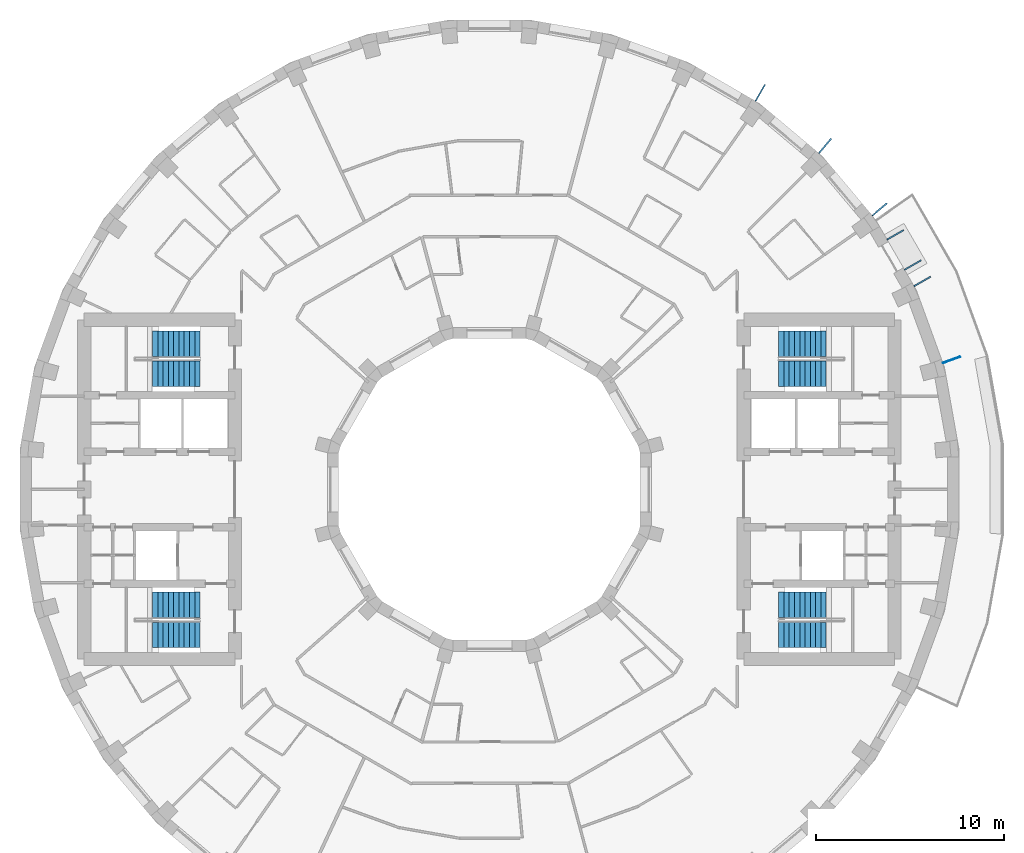
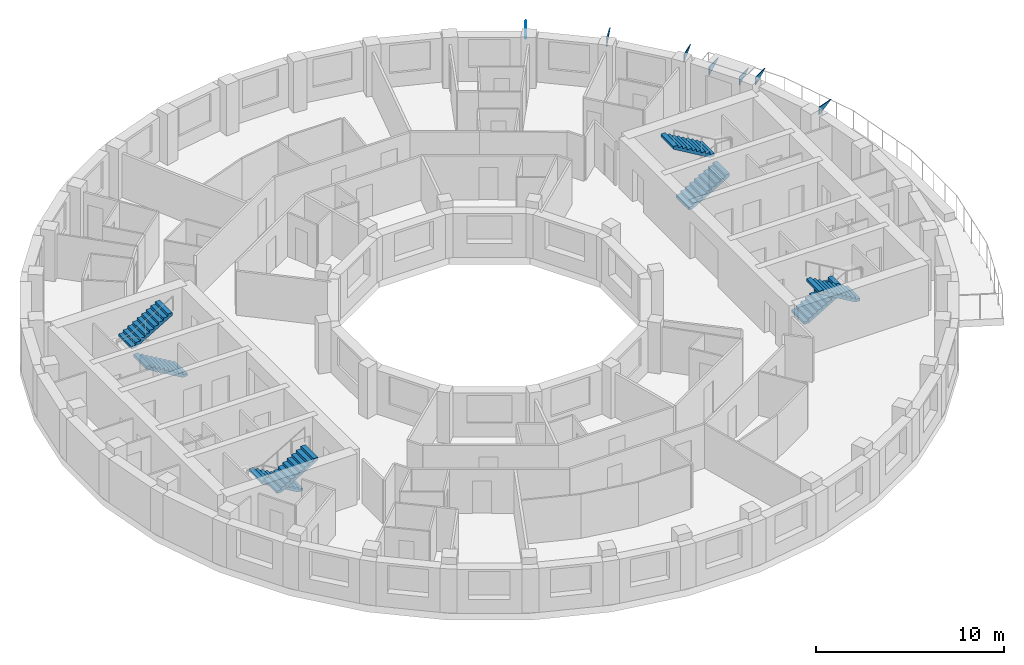
# One storey, part 10 of 11: 8 stair flights, 7 discrete accessories, 4 elements without a shape of their own.
"""IFC4 building model written with IfcOpenShell, lengths in metres."""

from ifc_helpers import new_model, si_unit, direction, frame, origin, place, context, subcontext, project, spatial, polyline, outline, extrude, material, layer, layer_set, type_object, element, aggregate, save


model = new_model("IFC4")

# Units and contexts
model_context = context("Model", 3, precision=1e-05, world=origin(), true_north=direction((0.0, 1.0)))
body_context = subcontext(model_context, "Body", "Model", "MODEL_VIEW")
ifc_project = project(units=[si_unit("LENGTHUNIT", "METRE"), si_unit("AREAUNIT", "SQUARE_METRE"), si_unit("VOLUMEUNIT", "CUBIC_METRE"), si_unit("PLANEANGLEUNIT", "RADIAN"), si_unit("MASSUNIT", "GRAM", prefix="KILO")], contexts=[model_context])

# Site, building, storey
site_placement = place(None, origin())
site = spatial("IfcSite", under=ifc_project, at=site_placement, CompositionType="ELEMENT")
building_placement = place(site_placement, origin())
building = spatial("IfcBuilding", under=site, at=building_placement, Name="Saqina Gate Tower", CompositionType="ELEMENT")
storey_placement = place(building_placement, frame((0.0, 0.0, 187.199951171875)))
storey = spatial("IfcBuildingStorey", under=building, at=storey_placement, Name="L53", CompositionType="ELEMENT", Elevation=187.199951171875)

# Stair, stair flights
ifc_material_1 = material(Name="Concrete C40/50", Category="concrete")
stair_type = type_object("IfcStairType", Name="EXIT STAIR", PredefinedType="HALF_TURN_STAIR", material=ifc_material_1)
stair_1_placement = place(storey_placement, origin())
stair_1 = element("IfcStair", 1, at=stair_1_placement, inside=storey, type_object=stair_type, Name="EXIT STAIR 1", PredefinedType="HALF_TURN_STAIR")
ifc_material_2 = material(Name="Concrete C40/50", Category="concrete")
stair_flight_type = type_object("IfcStairFlightType", Name="EXIT STAIR FLIGHT", PredefinedType="STRAIGHT", material=ifc_material_2)
stair_flight_1_placement = place(storey_placement, frame((15.35009765625, 6.125, 0.0), z_axis=(0.0, 0.0, 1.0), x_axis=(1.0, 0.0, 0.0)))
stair_flight_1 = element("IfcStairFlight", 2, at=stair_flight_1_placement, type_object=stair_flight_type, Name="EXIT STAIR 1 FLIGHT 1", NumberOfRisers=10, NumberOfTreads=9, PredefinedType="STRAIGHT", RiserHeight=0.165, TreadLength=0.28, context=body_context, shape_type="SweptSolid", body=[
    extrude(outline(polyline([(0.0, 0.0), (0.0, 0.1650390625), (0.280029296875, 0.1650390625), (0.280029296875, 0.330078125), (0.56005859375, 0.330078125), (0.56005859375, 0.4951171875), (0.840087890625, 0.4951171875), (0.840087890625, 0.659912109375), (1.1201171875, 0.659912109375), (1.1201171875, 0.824951171875), (1.39990234375, 0.824951171875), (1.39990234375, 0.989990234375), (1.679931640625, 0.989990234375), (1.679931640625, 1.155029296875), (1.9599609375, 1.155029296875), (1.9599609375, 1.320068359375), (2.239990234375, 1.320068359375), (2.239990234375, 1.485107421875), (2.52001953125, 1.485107421875), (2.52001953125, 1.64990234375), (2.52001953125, 1.31103515625), (0.295166015625, 0.0), (0.0, 0.0)])), frame((0.0, 0.675048828125, 0.0), z_axis=(0.0, -1.0, 0.0), x_axis=(1.0, 0.0, 0.0)), (0.0, 0.0, 1.0), 1.35009765625),
])
stair_flight_2_placement = place(storey_placement, frame((17.8701171875, 7.72509765625, 1.650146484375), z_axis=(0.0, 0.0, 1.0), x_axis=(-1.0, 0.0, 0.0)))
stair_flight_2 = element("IfcStairFlight", 3, at=stair_flight_2_placement, type_object=stair_flight_type, Name="EXIT STAIR 1 FLIGHT 2", NumberOfRisers=10, NumberOfTreads=9, PredefinedType="STRAIGHT", RiserHeight=0.165, TreadLength=0.28, context=body_context, shape_type="SweptSolid", body=[
    extrude(outline(polyline([(0.0, 0.0), (0.0, 0.1650390625), (0.280029296875, 0.1650390625), (0.280029296875, 0.330078125), (0.56005859375, 0.330078125), (0.56005859375, 0.4951171875), (0.840087890625, 0.4951171875), (0.840087890625, 0.659912109375), (1.1201171875, 0.659912109375), (1.1201171875, 0.824951171875), (1.39990234375, 0.824951171875), (1.39990234375, 0.989990234375), (1.679931640625, 0.989990234375), (1.679931640625, 1.155029296875), (1.9599609375, 1.155029296875), (1.9599609375, 1.320068359375), (2.239990234375, 1.320068359375), (2.239990234375, 1.485107421875), (2.52001953125, 1.485107421875), (2.52001953125, 1.64990234375), (2.52001953125, 1.31103515625), (0.295166015625, 0.0), (0.0, 0.0)])), frame((0.0, 0.675048828125, 0.0), z_axis=(0.0, -1.0, 0.0), x_axis=(1.0, 0.0, 0.0)), (0.0, 0.0, 1.0), 1.35009765625),
])
aggregate(stair_1, [stair_flight_1, stair_flight_2])

stair_2_placement = place(storey_placement, origin())
stair_2 = element("IfcStair", 4, at=stair_2_placement, inside=storey, type_object=stair_type, Name="EXIT STAIR 2", PredefinedType="HALF_TURN_STAIR")
stair_flight_3_placement = place(storey_placement, frame((15.35009765625, -6.125, 0.0), z_axis=(0.0, 0.0, 1.0), x_axis=(1.0, 0.0, 0.0)))
stair_flight_3 = element("IfcStairFlight", 5, at=stair_flight_3_placement, type_object=stair_flight_type, Name="EXIT STAIR 2 FLIGHT 1", NumberOfRisers=10, NumberOfTreads=9, PredefinedType="STRAIGHT", RiserHeight=0.165, TreadLength=0.28, context=body_context, shape_type="SweptSolid", body=[
    extrude(outline(polyline([(0.0, 0.0), (0.0, 0.1650390625), (0.280029296875, 0.1650390625), (0.280029296875, 0.330078125), (0.56005859375, 0.330078125), (0.56005859375, 0.4951171875), (0.840087890625, 0.4951171875), (0.840087890625, 0.659912109375), (1.1201171875, 0.659912109375), (1.1201171875, 0.824951171875), (1.39990234375, 0.824951171875), (1.39990234375, 0.989990234375), (1.679931640625, 0.989990234375), (1.679931640625, 1.155029296875), (1.9599609375, 1.155029296875), (1.9599609375, 1.320068359375), (2.239990234375, 1.320068359375), (2.239990234375, 1.485107421875), (2.52001953125, 1.485107421875), (2.52001953125, 1.64990234375), (2.52001953125, 1.31103515625), (0.295166015625, 0.0), (0.0, 0.0)])), frame((0.0, 0.675048828125, 0.0), z_axis=(0.0, -1.0, 0.0), x_axis=(1.0, 0.0, 0.0)), (0.0, 0.0, 1.0), 1.35009765625),
])
stair_flight_4_placement = place(storey_placement, frame((17.8701171875, -7.72509765625, 1.650146484375), z_axis=(0.0, 0.0, 1.0), x_axis=(-1.0, 0.0, 0.0)))
stair_flight_4 = element("IfcStairFlight", 6, at=stair_flight_4_placement, type_object=stair_flight_type, Name="EXIT STAIR 2 FLIGHT 2", NumberOfRisers=10, NumberOfTreads=9, PredefinedType="STRAIGHT", RiserHeight=0.165, TreadLength=0.28, context=body_context, shape_type="SweptSolid", body=[
    extrude(outline(polyline([(0.0, 0.0), (0.0, 0.1650390625), (0.280029296875, 0.1650390625), (0.280029296875, 0.330078125), (0.56005859375, 0.330078125), (0.56005859375, 0.4951171875), (0.840087890625, 0.4951171875), (0.840087890625, 0.659912109375), (1.1201171875, 0.659912109375), (1.1201171875, 0.824951171875), (1.39990234375, 0.824951171875), (1.39990234375, 0.989990234375), (1.679931640625, 0.989990234375), (1.679931640625, 1.155029296875), (1.9599609375, 1.155029296875), (1.9599609375, 1.320068359375), (2.239990234375, 1.320068359375), (2.239990234375, 1.485107421875), (2.52001953125, 1.485107421875), (2.52001953125, 1.64990234375), (2.52001953125, 1.31103515625), (0.295166015625, 0.0), (0.0, 0.0)])), frame((0.0, 0.675048828125, 0.0), z_axis=(0.0, -1.0, 0.0), x_axis=(1.0, 0.0, 0.0)), (0.0, 0.0, 1.0), 1.35009765625),
])
aggregate(stair_2, [stair_flight_3, stair_flight_4])

stair_3_placement = place(storey_placement, origin())
stair_3 = element("IfcStair", 7, at=stair_3_placement, inside=storey, type_object=stair_type, Name="EXIT STAIR 3", PredefinedType="HALF_TURN_STAIR")
stair_flight_5_placement = place(storey_placement, frame((-15.35009765625, 6.125, 0.0), z_axis=(0.0, 0.0, 1.0), x_axis=(-1.0, 0.0, 0.0)))
stair_flight_5 = element("IfcStairFlight", 8, at=stair_flight_5_placement, type_object=stair_flight_type, Name="EXIT STAIR 3 FLIGHT 1", NumberOfRisers=10, NumberOfTreads=9, PredefinedType="STRAIGHT", RiserHeight=0.165, TreadLength=0.28, context=body_context, shape_type="SweptSolid", body=[
    extrude(outline(polyline([(0.0, 0.0), (0.0, 0.1650390625), (0.280029296875, 0.1650390625), (0.280029296875, 0.330078125), (0.56005859375, 0.330078125), (0.56005859375, 0.4951171875), (0.840087890625, 0.4951171875), (0.840087890625, 0.659912109375), (1.1201171875, 0.659912109375), (1.1201171875, 0.824951171875), (1.39990234375, 0.824951171875), (1.39990234375, 0.989990234375), (1.679931640625, 0.989990234375), (1.679931640625, 1.155029296875), (1.9599609375, 1.155029296875), (1.9599609375, 1.320068359375), (2.239990234375, 1.320068359375), (2.239990234375, 1.485107421875), (2.52001953125, 1.485107421875), (2.52001953125, 1.64990234375), (2.52001953125, 1.31103515625), (0.295166015625, 0.0), (0.0, 0.0)])), frame((0.0, 0.675048828125, 0.0), z_axis=(0.0, -1.0, 0.0), x_axis=(1.0, 0.0, 0.0)), (0.0, 0.0, 1.0), 1.35009765625),
])
stair_flight_6_placement = place(storey_placement, frame((-17.8701171875, 7.72509765625, 1.650146484375), z_axis=(0.0, 0.0, 1.0), x_axis=(1.0, 0.0, 0.0)))
stair_flight_6 = element("IfcStairFlight", 9, at=stair_flight_6_placement, type_object=stair_flight_type, Name="EXIT STAIR 3 FLIGHT 2", NumberOfRisers=10, NumberOfTreads=9, PredefinedType="STRAIGHT", RiserHeight=0.165, TreadLength=0.28, context=body_context, shape_type="SweptSolid", body=[
    extrude(outline(polyline([(0.0, 0.0), (0.0, 0.1650390625), (0.280029296875, 0.1650390625), (0.280029296875, 0.330078125), (0.56005859375, 0.330078125), (0.56005859375, 0.4951171875), (0.840087890625, 0.4951171875), (0.840087890625, 0.659912109375), (1.1201171875, 0.659912109375), (1.1201171875, 0.824951171875), (1.39990234375, 0.824951171875), (1.39990234375, 0.989990234375), (1.679931640625, 0.989990234375), (1.679931640625, 1.155029296875), (1.9599609375, 1.155029296875), (1.9599609375, 1.320068359375), (2.239990234375, 1.320068359375), (2.239990234375, 1.485107421875), (2.52001953125, 1.485107421875), (2.52001953125, 1.64990234375), (2.52001953125, 1.31103515625), (0.295166015625, 0.0), (0.0, 0.0)])), frame((0.0, 0.675048828125, 0.0), z_axis=(0.0, -1.0, 0.0), x_axis=(1.0, 0.0, 0.0)), (0.0, 0.0, 1.0), 1.35009765625),
])
aggregate(stair_3, [stair_flight_5, stair_flight_6])

stair_4_placement = place(storey_placement, origin())
stair_4 = element("IfcStair", 10, at=stair_4_placement, inside=storey, type_object=stair_type, Name="EXIT STAIR 4", PredefinedType="HALF_TURN_STAIR")
stair_flight_7_placement = place(storey_placement, frame((-15.35009765625, -6.125, 0.0), z_axis=(0.0, 0.0, 1.0), x_axis=(-1.0, 0.0, 0.0)))
stair_flight_7 = element("IfcStairFlight", 11, at=stair_flight_7_placement, type_object=stair_flight_type, Name="EXIT STAIR 4 FLIGHT 1", NumberOfRisers=10, NumberOfTreads=9, PredefinedType="STRAIGHT", RiserHeight=0.165, TreadLength=0.28, context=body_context, shape_type="SweptSolid", body=[
    extrude(outline(polyline([(0.0, 0.0), (0.0, 0.1650390625), (0.280029296875, 0.1650390625), (0.280029296875, 0.330078125), (0.56005859375, 0.330078125), (0.56005859375, 0.4951171875), (0.840087890625, 0.4951171875), (0.840087890625, 0.659912109375), (1.1201171875, 0.659912109375), (1.1201171875, 0.824951171875), (1.39990234375, 0.824951171875), (1.39990234375, 0.989990234375), (1.679931640625, 0.989990234375), (1.679931640625, 1.155029296875), (1.9599609375, 1.155029296875), (1.9599609375, 1.320068359375), (2.239990234375, 1.320068359375), (2.239990234375, 1.485107421875), (2.52001953125, 1.485107421875), (2.52001953125, 1.64990234375), (2.52001953125, 1.31103515625), (0.295166015625, 0.0), (0.0, 0.0)])), frame((0.0, 0.675048828125, 0.0), z_axis=(0.0, -1.0, 0.0), x_axis=(1.0, 0.0, 0.0)), (0.0, 0.0, 1.0), 1.35009765625),
])
stair_flight_8_placement = place(storey_placement, frame((-17.8701171875, -7.72509765625, 1.650146484375), z_axis=(0.0, 0.0, 1.0), x_axis=(1.0, 0.0, 0.0)))
stair_flight_8 = element("IfcStairFlight", 12, at=stair_flight_8_placement, type_object=stair_flight_type, Name="EXIT STAIR 4 FLIGHT 2", NumberOfRisers=10, NumberOfTreads=9, PredefinedType="STRAIGHT", RiserHeight=0.165, TreadLength=0.28, context=body_context, shape_type="SweptSolid", body=[
    extrude(outline(polyline([(0.0, 0.0), (0.0, 0.1650390625), (0.280029296875, 0.1650390625), (0.280029296875, 0.330078125), (0.56005859375, 0.330078125), (0.56005859375, 0.4951171875), (0.840087890625, 0.4951171875), (0.840087890625, 0.659912109375), (1.1201171875, 0.659912109375), (1.1201171875, 0.824951171875), (1.39990234375, 0.824951171875), (1.39990234375, 0.989990234375), (1.679931640625, 0.989990234375), (1.679931640625, 1.155029296875), (1.9599609375, 1.155029296875), (1.9599609375, 1.320068359375), (2.239990234375, 1.320068359375), (2.239990234375, 1.485107421875), (2.52001953125, 1.485107421875), (2.52001953125, 1.64990234375), (2.52001953125, 1.31103515625), (0.295166015625, 0.0), (0.0, 0.0)])), frame((0.0, 0.675048828125, 0.0), z_axis=(0.0, -1.0, 0.0), x_axis=(1.0, 0.0, 0.0)), (0.0, 0.0, 1.0), 1.35009765625),
])
aggregate(stair_4, [stair_flight_7, stair_flight_8])

# Discrete accessories
ifc_material_3 = material(Name="Galvanised steel", Category="steel")
ifc_layer_1 = layer(ifc_material_3, 0.050048828125)
ifc_layer_set_1 = layer_set([ifc_layer_1], Name="BR-AWNING")
discrete_accessory_type_1 = type_object("IfcDiscreteAccessoryType", Name="BR-AWNING", PredefinedType="BRACKET", material=ifc_layer_set_1)
for number, where, z_axis, x_axis, name in (
    (13, (22.018310546875, 11.673095703125, 1.97509765625), (-0.50002537861, 0.866010750942, 0.0), (0.0, 0.0, 1.0), "Awning bracket L53 facet 3"),
    (14, (21.09326171875, 13.27490234375, 1.97509765625), (-0.50002537861, 0.866010750942, 0.0), (0.0, 0.0, 1.0), "Awning bracket L53 facet 3"),
):
    element("IfcDiscreteAccessory", number, at=place(storey_placement, frame(where, z_axis=z_axis, x_axis=x_axis)), inside=storey, type_object=discrete_accessory_type_1, Name=name, PredefinedType="BRACKET", context=body_context, shape_type="SweptSolid", body=[
        extrude(outline(polyline([(0.0, 0.0), (0.550048828125, 0.0), (0.550048828125, 0.9999492453569568), (0.0, 0.0)])), origin(), (0.0, 0.0, -1.0), 0.050048828125),
    ])
ifc_material_4 = material(Name="Galvanised steel", Category="steel")
ifc_layer_2 = layer(ifc_material_4, 0.050048828125)
ifc_layer_set_2 = layer_set([ifc_layer_2], Name="BR-GUSSET")
discrete_accessory_type_2 = type_object("IfcDiscreteAccessoryType", Name="BR-GUSSET", PredefinedType="BRACKET", material=ifc_layer_set_2)
discrete_accessory_1_placement = place(storey_placement, frame((24.05419921875, 6.72900390625, 2.35009765625), z_axis=(-0.341821477669, 0.939764905391, 0.0), x_axis=(0.0, 0.0, 1.0)))
element("IfcDiscreteAccessory", 15, at=discrete_accessory_1_placement, inside=storey, type_object=discrete_accessory_type_2, Name="Terrace slab bracket L54 1", PredefinedType="BRACKET", context=body_context, shape_type="SweptSolid", body=[
    extrude(outline(polyline([(0.0, 0.0), (0.5, 0.0), (0.5, 0.999928024801219), (0.0, 0.0)])), origin(), (0.0, 0.0, -1.0), 0.050048828125),
])
discrete_accessory_2_placement = place(storey_placement, frame((22.520263671875, 10.8037109375, 2.35009765625), z_axis=(-0.50002537861, 0.866010750942, 0.0), x_axis=(0.0, 0.0, 1.0)))
element("IfcDiscreteAccessory", 16, at=discrete_accessory_2_placement, inside=storey, type_object=discrete_accessory_type_2, Name="Terrace slab bracket L54 2", PredefinedType="BRACKET", context=body_context, shape_type="SweptSolid", body=[
    extrude(outline(polyline([(0.0, 0.0), (0.5, 0.0), (0.5, 0.9999492453569568), (0.0, 0.0)])), origin(), (0.0, 0.0, -1.0), 0.050048828125),
])
for number, where, z_axis, x_axis, name in (
    (17, (20.302001953125, 14.550048828125, 2.35009765625), (-0.64277405138, 0.766055819685, 0.0), (0.0, 0.0, 1.0), "Terrace slab bracket L54 3"),
    (18, (17.467041015625, 17.8544921875, 2.35009765625), (-0.766055819685, 0.64277405138, 0.0), (0.0, 0.0, 1.0), "Terrace slab bracket L54 4"),
):
    element("IfcDiscreteAccessory", number, at=place(storey_placement, frame(where, z_axis=z_axis, x_axis=x_axis)), inside=storey, type_object=discrete_accessory_type_2, Name=name, PredefinedType="BRACKET", context=body_context, shape_type="SweptSolid", body=[
        extrude(outline(polyline([(0.0, 0.0), (0.5, 0.0), (0.5, 1.0000750096322275), (0.0, 0.0)])), origin(), (0.0, 0.0, -1.0), 0.050048828125),
    ])
discrete_accessory_3_placement = place(storey_placement, frame((14.101318359375, 20.6162109375, 2.35009765625), z_axis=(-0.866071776036, 0.499919672301, 0.0), x_axis=(0.0, 0.0, 1.0)))
element("IfcDiscreteAccessory", 19, at=discrete_accessory_3_placement, inside=storey, type_object=discrete_accessory_type_2, Name="Terrace slab bracket L54 5", PredefinedType="BRACKET", context=body_context, shape_type="SweptSolid", body=[
    extrude(outline(polyline([(0.0, 0.0), (0.5, 0.0), (0.5, 1.0001606812130883), (0.0, 0.0)])), origin(), (0.0, 0.0, -1.0), 0.050048828125),
])

save(model, "model.ifc")
